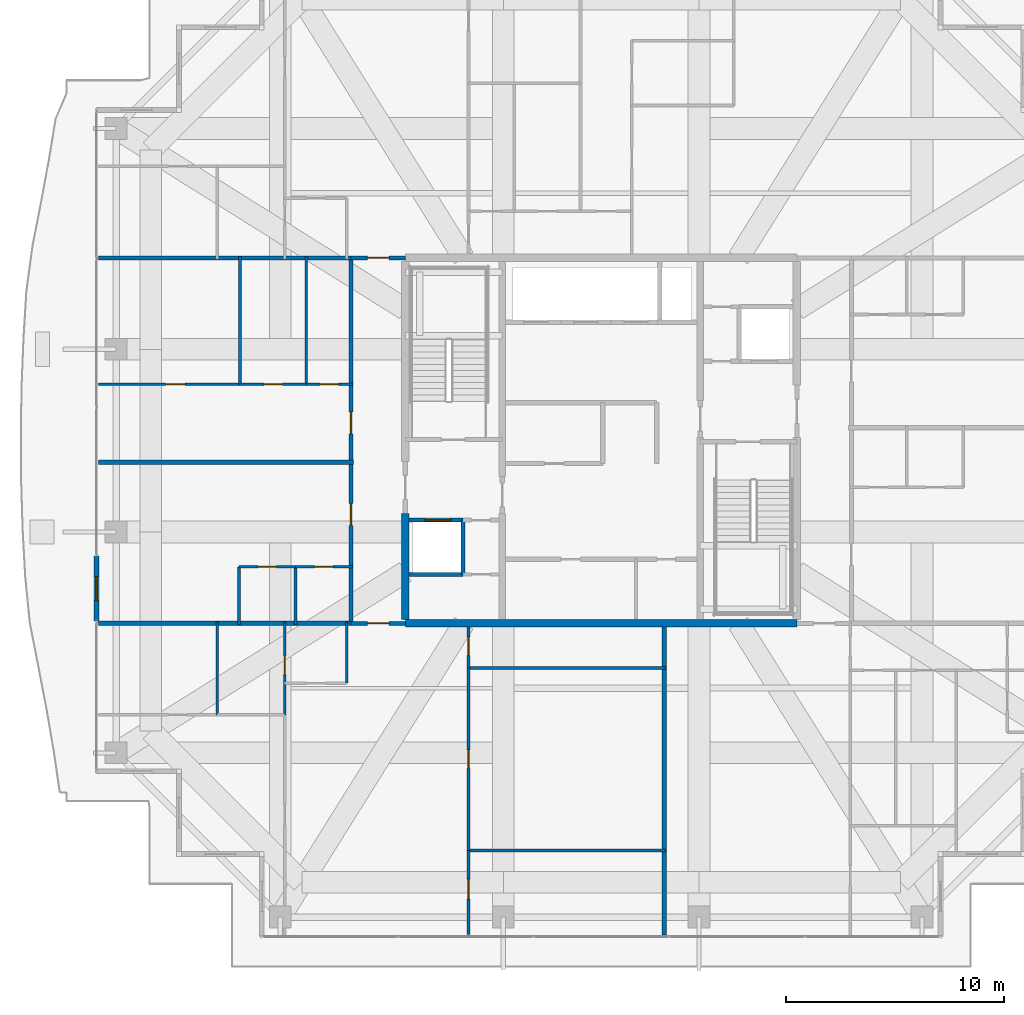
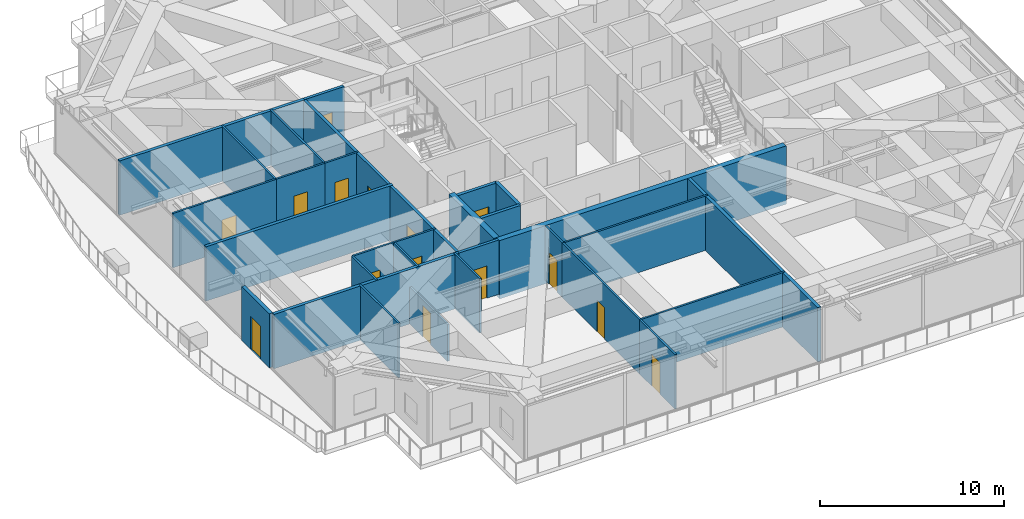
# One storey, part 29 of 40: 30 walls, 15 doors, 15 openings.
"""IFC4 building model written with IfcOpenShell, lengths in metres."""

from ifc_helpers import new_model, si_unit, direction, frame, frame_2d, origin, place, context, subcontext, project, spatial, rectangle, extrude, source, transform, mapped, material, layer, layer_set, type_object, element, fill, save


model = new_model("IFC4")

# Units and contexts
model_context = context("Model", 3, precision=1e-05, world=origin(), true_north=direction((0.0, 1.0)))
body_context = subcontext(model_context, "Body", "Model", "MODEL_VIEW")
ifc_project = project(units=[si_unit("LENGTHUNIT", "METRE"), si_unit("AREAUNIT", "SQUARE_METRE"), si_unit("VOLUMEUNIT", "CUBIC_METRE"), si_unit("PLANEANGLEUNIT", "RADIAN"), si_unit("MASSUNIT", "GRAM", prefix="KILO")], contexts=[model_context])

# Site, building, storey
site_placement = place(None, origin())
site = spatial("IfcSite", under=ifc_project, at=site_placement, CompositionType="ELEMENT")
building_placement = place(site_placement, origin())
building = spatial("IfcBuilding", under=site, at=building_placement, Name="Serunith Strait Residences", CompositionType="ELEMENT")
storey_placement = place(building_placement, frame((0.0, 0.0, 333.949951171875)))
storey = spatial("IfcBuildingStorey", under=building, at=storey_placement, Name="L83", CompositionType="ELEMENT", Elevation=333.949951171875)

# Wall, opening, door
ifc_material_1 = material(Name="Pale-Champagne Aluminium Insulated Panel", Category="aluminium")
ifc_layer_1 = layer(ifc_material_1, 0.219970703125, Name="Pale-Champagne Aluminium Insulated Panel")
ifc_layer_set_1 = layer_set([ifc_layer_1], Name="Pale-Champagne Aluminium Insulated Panel")
wall_type_1 = type_object("IfcWallType", Name="EW-ALUM-220", PredefinedType="ELEMENTEDWALL", material=ifc_layer_set_1)
wall_1_placement = place(storey_placement, frame((9.199951171875, 19.89990234375, 0.0), z_axis=(0.0, 0.0, 1.0), x_axis=(0.0, -1.0, 0.0)))
wall_1 = element("IfcWall", 1, at=wall_1_placement, inside=storey, type_object=wall_type_1, Name="L83 W Facade Pier Wall", PredefinedType="ELEMENTEDWALL", context=body_context, shape_type="SweptSolid", body=[
    extrude(rectangle(XDim=3.0, YDim=0.219970703125, at=frame_2d((1.5, 0.0))), origin(), (0.0, 0.0, 1.0), 3.594970703125),
])
opening_1_placement = place(wall_1_placement, frame((0.949951171875, 0.0, 0.0)))
opening_1 = element("IfcOpeningElement", 2, at=opening_1_placement, cuts=wall_1, Name="Opening ED-03", PredefinedType="OPENING", context=body_context, shape_type="SweptSolid", body=[
    extrude(rectangle(XDim=1.10009765625, YDim=2.199951171875, at=frame_2d((0.550048828125, 1.10009765625))), frame((0.0, 0.1201171875, 0.0), z_axis=(0.0, -1.0, 0.0), x_axis=(1.0, 0.0, 0.0)), (0.0, 0.0, 1.0), 0.239990234375),
])
ifc_material_2 = material(Name="Thermally-Broken Aluminium Glazed Balcony Door", Category="aluminium")
door_type_1 = type_object("IfcDoorType", Name="ED-BALC-1100", OperationType="NOTDEFINED", PredefinedType="DOOR", material=ifc_material_2)
shared_shape_1 = source(origin(), body_context, "Body", "SweptSolid", [
    extrude(rectangle(XDim=1.10009765625, YDim=2.199951171875, at=frame_2d((0.550048828125, 1.10009765625))), frame((0.0, 0.02490234375, 0.0), z_axis=(0.0, -1.0, 0.0), x_axis=(1.0, 0.0, 0.0)), (0.0, 0.0, 1.0), 0.050048828125),
])
door_1_placement = place(opening_1_placement, origin())
door_1 = element("IfcDoor", 3, at=door_1_placement, inside=storey, type_object=door_type_1, Name="L83 W Vertical-Forest Balcony Door", OperationType="SINGLE_SWING_LEFT", OverallHeight=2.199951171875, OverallWidth=1.10009765625, PredefinedType="DOOR", context=body_context, shape_type="MappedRepresentation", body=[
    mapped(shared_shape_1, transform((0.0, 0.0, 0.0), scale=1.0)),
])
fill(opening_1, door_1)

ifc_material_3 = material(Name="Fire-rated acoustic gypsum partition")
ifc_layer_2 = layer(ifc_material_3, 0.179931640625, Name="Fire-rated acoustic gypsum partition")
ifc_layer_set_2 = layer_set([ifc_layer_2], Name="Fire-rated acoustic gypsum partition")
wall_type_2 = type_object("IfcWallType", Name="IW-CORR-180", PredefinedType="PARTITIONING", material=ifc_layer_set_2)
wall_2_placement = place(storey_placement, frame((20.902099609375, 16.800048828125, 0.0), z_axis=(0.0, 0.0, 1.0), x_axis=(1.0, 0.0, 0.0)))
wall_2 = element("IfcWall", 4, at=wall_2_placement, inside=storey, type_object=wall_type_2, Name="L83 Partition Wall 027", PredefinedType="PARTITIONING", context=body_context, shape_type="SweptSolid", body=[
    extrude(rectangle(XDim=2.495849609375, YDim=0.179931640625, at=frame_2d((1.248046875, 0.0))), origin(), (0.0, 0.0, 1.0), 3.610107421875),
])
opening_2_placement = place(wall_2_placement, frame((0.748046875, 0.0, 0.0)))
opening_2 = element("IfcOpeningElement", 5, at=opening_2_placement, cuts=wall_2, Name="Opening D-APT1000", PredefinedType="OPENING", context=body_context, shape_type="SweptSolid", body=[
    extrude(rectangle(XDim=1.0, YDim=2.14990234375, at=frame_2d((0.5, 1.074951171875))), frame((0.0, 0.10009765625, 0.0), z_axis=(0.0, -1.0, 0.0), x_axis=(1.0, 0.0, 0.0)), (0.0, 0.0, 1.0), 0.199951171875),
])
ifc_material_4 = material(Name="Solid timber engineered fire door", Category="wood")
door_type_2 = type_object("IfcDoorType", Name="ID-APT-1000", OperationType="NOTDEFINED", PredefinedType="DOOR", material=ifc_material_4)
shared_shape_2 = source(origin(), body_context, "Body", "SweptSolid", [
    extrude(rectangle(XDim=1.0, YDim=2.14990234375, at=frame_2d((0.5, 1.074951171875))), frame((0.0, 0.02490234375, 0.0), z_axis=(0.0, -1.0, 0.0), x_axis=(1.0, 0.0, 0.0)), (0.0, 0.0, 1.0), 0.050048828125),
])
door_2_placement = place(opening_2_placement, origin())
door_2 = element("IfcDoor", 6, at=door_2_placement, inside=storey, type_object=door_type_2, Name="L83 Unit 01 Entrance Door", OperationType="SINGLE_SWING_LEFT", OverallHeight=2.14990234375, OverallWidth=1.0, PredefinedType="DOOR", context=body_context, shape_type="MappedRepresentation", body=[
    mapped(shared_shape_2, transform((0.0, 0.0, 0.0), scale=1.0)),
])
fill(opening_2, door_2)

wall_3_placement = place(storey_placement, frame((20.902099609375, 33.60009765625, 0.0), z_axis=(0.0, 0.0, 1.0), x_axis=(1.0, 0.0, 0.0)))
wall_3 = element("IfcWall", 7, at=wall_3_placement, inside=storey, type_object=wall_type_2, Name="L83 Partition Wall 028", PredefinedType="PARTITIONING", context=body_context, shape_type="SweptSolid", body=[
    extrude(rectangle(XDim=2.495849609375, YDim=0.179931640625, at=frame_2d((1.248046875, 0.0))), origin(), (0.0, 0.0, 1.0), 3.610107421875),
])
opening_3_placement = place(wall_3_placement, frame((0.748046875, 0.0, 0.0)))
opening_3 = element("IfcOpeningElement", 8, at=opening_3_placement, cuts=wall_3, Name="Opening D-APT1000", PredefinedType="OPENING", context=body_context, shape_type="SweptSolid", body=[
    extrude(rectangle(XDim=1.0, YDim=2.14990234375, at=frame_2d((0.5, 1.074951171875))), frame((0.0, 0.10009765625, 0.0), z_axis=(0.0, -1.0, 0.0), x_axis=(1.0, 0.0, 0.0)), (0.0, 0.0, 1.0), 0.199951171875),
])
door_3_placement = place(opening_3_placement, origin())
door_3 = element("IfcDoor", 9, at=door_3_placement, inside=storey, type_object=door_type_2, Name="L83 Unit 03 Entrance Door", OperationType="SINGLE_SWING_RIGHT", OverallHeight=2.14990234375, OverallWidth=1.0, PredefinedType="DOOR", context=body_context, shape_type="MappedRepresentation", body=[
    mapped(shared_shape_2, transform((0.0, 0.0, 0.0), scale=1.0)),
])
fill(opening_3, door_3)

# Wall, openings, doors
wall_4_placement = place(storey_placement, frame((20.89990234375, 16.800048828125, 0.0), z_axis=(0.0, 0.0, 1.0), x_axis=(0.0, 1.0, 0.0)))
wall_4 = element("IfcWall", 10, at=wall_4_placement, inside=storey, type_object=wall_type_2, Name="L83 Partition Wall 029", PredefinedType="PARTITIONING", context=body_context, shape_type="SweptSolid", body=[
    extrude(rectangle(XDim=16.800048828125, YDim=0.179931640625, at=frame_2d((8.39990234375, 0.0))), origin(), (0.0, 0.0, 1.0), 3.610107421875),
])
opening_4_placement = place(wall_4_placement, frame((4.5029296875, 0.0, 0.0)))
opening_4 = element("IfcOpeningElement", 11, at=opening_4_placement, cuts=wall_4, Name="Opening D-APT1000", PredefinedType="OPENING", context=body_context, shape_type="SweptSolid", body=[
    extrude(rectangle(XDim=1.0, YDim=2.14990234375, at=frame_2d((0.5, 1.074951171875))), frame((0.0, 0.10009765625, 0.0), z_axis=(0.0, -1.0, 0.0), x_axis=(1.0, 0.0, 0.0)), (0.0, 0.0, 1.0), 0.199951171875),
])
opening_5_placement = place(wall_4_placement, frame((8.7060546875, 0.0, 0.0)))
opening_5 = element("IfcOpeningElement", 12, at=opening_5_placement, cuts=wall_4, Name="Opening D-APT1000", PredefinedType="OPENING", context=body_context, shape_type="SweptSolid", body=[
    extrude(rectangle(XDim=1.0, YDim=2.14990234375, at=frame_2d((0.5, 1.074951171875))), frame((0.0, 0.10009765625, 0.0), z_axis=(0.0, -1.0, 0.0), x_axis=(1.0, 0.0, 0.0)), (0.0, 0.0, 1.0), 0.199951171875),
])
door_4_placement = place(opening_4_placement, origin())
door_4 = element("IfcDoor", 13, at=door_4_placement, inside=storey, type_object=door_type_2, Name="L83 Unit 04 Entrance Door", OperationType="SINGLE_SWING_LEFT", OverallHeight=2.14990234375, OverallWidth=1.0, PredefinedType="DOOR", context=body_context, shape_type="MappedRepresentation", body=[
    mapped(shared_shape_2, transform((0.0, 0.0, 0.0), scale=1.0)),
])
fill(opening_4, door_4)
door_5_placement = place(opening_5_placement, origin())
door_5 = element("IfcDoor", 14, at=door_5_placement, inside=storey, type_object=door_type_2, Name="L83 Unit 05 Entrance Door", OperationType="SINGLE_SWING_RIGHT", OverallHeight=2.14990234375, OverallWidth=1.0, PredefinedType="DOOR", context=body_context, shape_type="MappedRepresentation", body=[
    mapped(shared_shape_2, transform((0.0, 0.0, 0.0), scale=1.0)),
])
fill(opening_5, door_5)

# Walls
ifc_material_5 = material(Name="Lightweight steel-stud gypsum partition", Category="steel")
ifc_layer_3 = layer(ifc_material_5, 0.1201171875, Name="Lightweight steel-stud gypsum partition")
ifc_layer_set_3 = layer_set([ifc_layer_3], Name="Lightweight steel-stud gypsum partition")
wall_type_3 = type_object("IfcWallType", Name="IW-PART-120", PredefinedType="PARTITIONING", material=ifc_layer_set_3)
wall_5_placement = place(storey_placement, frame((20.699951171875, 14.050048828125, 0.0), z_axis=(0.0, 0.0, 1.0), x_axis=(0.0, 1.0, 0.0)))
element("IfcWall", 15, at=wall_5_placement, inside=storey, type_object=wall_type_3, Name="L83 Partition Wall 034", PredefinedType="PARTITIONING", context=body_context, shape_type="SweptSolid", body=[
    extrude(rectangle(XDim=2.81005859375, YDim=0.1201171875, at=frame_2d((1.405029296875, 0.0))), origin(), (0.0, 0.0, 1.0), 3.610107421875),
])
wall_6_placement = place(storey_placement, frame((14.75, 12.593017578125, 0.0), z_axis=(0.0, 0.0, 1.0), x_axis=(0.0, 1.0, 0.0)))
element("IfcWall", 16, at=wall_6_placement, inside=storey, type_object=wall_type_3, Name="L83 Partition Wall 038", PredefinedType="PARTITIONING", context=body_context, shape_type="SweptSolid", body=[
    extrude(rectangle(XDim=4.26708984375, YDim=0.1201171875, at=frame_2d((2.133544921875, 0.0))), origin(), (0.0, 0.0, 1.0), 3.610107421875),
])

# Wall, opening, door
wall_7_placement = place(storey_placement, frame((17.85009765625, 12.594970703125, 0.0), z_axis=(0.0, 0.0, 1.0), x_axis=(0.0, 1.0, 0.0)))
wall_7 = element("IfcWall", 17, at=wall_7_placement, inside=storey, type_object=wall_type_3, Name="L83 Partition Wall 039", PredefinedType="PARTITIONING", context=body_context, shape_type="SweptSolid", body=[
    extrude(rectangle(XDim=4.26513671875, YDim=0.1201171875, at=frame_2d((2.132568359375, 0.0))), origin(), (0.0, 0.0, 1.0), 2.445068359375),
])
opening_6_placement = place(wall_7_placement, frame((1.846923828125, 0.0, 0.0)))
opening_6 = element("IfcOpeningElement", 18, at=opening_6_placement, cuts=wall_7, Name="Opening D-BTH850", PredefinedType="OPENING", context=body_context, shape_type="SweptSolid", body=[
    extrude(rectangle(XDim=0.85009765625, YDim=2.10009765625, at=frame_2d((0.425048828125, 1.050048828125))), frame((0.0, 0.070068359375, 0.0), z_axis=(0.0, -1.0, 0.0), x_axis=(1.0, 0.0, 0.0)), (0.0, 0.0, 1.0), 0.14013671875),
])
ifc_material_6 = material(Name="Moisture-resistant timber bathroom door", Category="wood")
door_type_3 = type_object("IfcDoorType", Name="ID-BATH-850", OperationType="NOTDEFINED", PredefinedType="DOOR", material=ifc_material_6)
shared_shape_3 = source(origin(), body_context, "Body", "SweptSolid", [
    extrude(rectangle(XDim=0.85009765625, YDim=2.10009765625, at=frame_2d((0.425048828125, 1.050048828125))), frame((0.0, 0.02490234375, 0.0), z_axis=(0.0, -1.0, 0.0), x_axis=(1.0, 0.0, 0.0)), (0.0, 0.0, 1.0), 0.050048828125),
])
door_6_placement = place(opening_6_placement, origin())
door_6 = element("IfcDoor", 19, at=door_6_placement, inside=storey, type_object=door_type_3, Name="L83 Bathroom 8301 Door", OperationType="SINGLE_SWING_LEFT", OverallHeight=2.10009765625, OverallWidth=0.85009765625, PredefinedType="DOOR", context=body_context, shape_type="MappedRepresentation", body=[
    mapped(shared_shape_3, transform((0.0, 0.0, 0.0), scale=1.0)),
])
fill(opening_6, door_6)

wall_8_placement = place(storey_placement, frame((26.300048828125, 2.4951171875, 0.0), z_axis=(0.0, 0.0, 1.0), x_axis=(0.0, 1.0, 0.0)))
wall_8 = element("IfcWall", 20, at=wall_8_placement, inside=storey, type_object=wall_type_3, Name="L83 Partition Wall 040", PredefinedType="PARTITIONING", context=body_context, shape_type="SweptSolid", body=[
    extrude(rectangle(XDim=3.866943359375, YDim=0.1201171875, at=frame_2d((1.93359375, 0.0))), origin(), (0.0, 0.0, 1.0), 3.610107421875),
])
opening_7_placement = place(wall_8_placement, frame((1.632080078125, 0.0, 0.0)))
opening_7 = element("IfcOpeningElement", 21, at=opening_7_placement, cuts=wall_8, Name="Opening D-RM900", PredefinedType="OPENING", context=body_context, shape_type="SweptSolid", body=[
    extrude(rectangle(XDim=0.89990234375, YDim=2.10009765625, at=frame_2d((0.449951171875, 1.050048828125))), frame((0.0, 0.070068359375, 0.0), z_axis=(0.0, -1.0, 0.0), x_axis=(1.0, 0.0, 0.0)), (0.0, 0.0, 1.0), 0.14013671875),
])
ifc_material_7 = material(Name="Engineered timber flush bedroom door", Category="wood")
door_type_4 = type_object("IfcDoorType", Name="ID-ROOM-900", OperationType="NOTDEFINED", PredefinedType="DOOR", material=ifc_material_7)
shared_shape_4 = source(origin(), body_context, "Body", "SweptSolid", [
    extrude(rectangle(XDim=0.89990234375, YDim=2.10009765625, at=frame_2d((0.449951171875, 1.050048828125))), frame((0.0, 0.02490234375, 0.0), z_axis=(0.0, -1.0, 0.0), x_axis=(1.0, 0.0, 0.0)), (0.0, 0.0, 1.0), 0.050048828125),
])
door_7_placement = place(opening_7_placement, origin())
door_7 = element("IfcDoor", 22, at=door_7_placement, inside=storey, type_object=door_type_4, Name="L83 Bedroom 2 8301 Door", OperationType="SINGLE_SWING_RIGHT", OverallHeight=2.10009765625, OverallWidth=0.89990234375, PredefinedType="DOOR", context=body_context, shape_type="MappedRepresentation", body=[
    mapped(shared_shape_4, transform((0.0, 0.0, 0.0), scale=1.0)),
])
fill(opening_7, door_7)

# Walls
for number, where, z_axis, x_axis, name in (
    (23, (26.300048828125, 6.362060546875, 0.0), (0.0, 0.0, 1.0), (1.0, 0.0, 0.0), "L83 Partition Wall 041"),
    (24, (26.300048828125, 14.75, 0.0), (0.0, 0.0, 1.0), (1.0, 0.0, 0.0), "L83 Partition Wall 042"),
):
    element("IfcWall", number, at=place(storey_placement, frame(where, z_axis=z_axis, x_axis=x_axis)), inside=storey, type_object=wall_type_3, Name=name, PredefinedType="PARTITIONING", context=body_context, shape_type="SweptSolid", body=[
        extrude(rectangle(XDim=9.06005859375, YDim=0.1201171875, at=frame_2d((4.530029296875, 0.0))), origin(), (0.0, 0.0, 1.0), 3.610107421875),
    ])

# Wall, opening, door
wall_9_placement = place(storey_placement, frame((26.300048828125, 6.364013671875, 0.0), z_axis=(0.0, 0.0, 1.0), x_axis=(0.0, 1.0, 0.0)))
wall_9 = element("IfcWall", 25, at=wall_9_placement, inside=storey, type_object=wall_type_3, Name="L83 Partition Wall 043", PredefinedType="PARTITIONING", context=body_context, shape_type="SweptSolid", body=[
    extrude(rectangle(XDim=8.385986328125, YDim=0.1201171875, at=frame_2d((4.19287109375, 0.0))), origin(), (0.0, 0.0, 1.0), 3.610107421875),
])
opening_8_placement = place(wall_9_placement, frame((3.76806640625, 0.0, 0.0)))
opening_8 = element("IfcOpeningElement", 26, at=opening_8_placement, cuts=wall_9, Name="Opening D-RM850", PredefinedType="OPENING", context=body_context, shape_type="SweptSolid", body=[
    extrude(rectangle(XDim=0.85009765625, YDim=2.10009765625, at=frame_2d((0.425048828125, 1.050048828125))), frame((0.0, 0.070068359375, 0.0), z_axis=(0.0, -1.0, 0.0), x_axis=(1.0, 0.0, 0.0)), (0.0, 0.0, 1.0), 0.14013671875),
])
ifc_material_8 = material(Name="Engineered timber flush study and kitchen door", Category="wood")
door_type_5 = type_object("IfcDoorType", Name="ID-ROOM-850", OperationType="NOTDEFINED", PredefinedType="DOOR", material=ifc_material_8)
door_8_placement = place(opening_8_placement, origin())
door_8 = element("IfcDoor", 27, at=door_8_placement, inside=storey, type_object=door_type_5, Name="L83 Walk-in Wardrobe 8301 Door", OperationType="SINGLE_SWING_LEFT", OverallHeight=2.10009765625, OverallWidth=0.85009765625, PredefinedType="DOOR", context=body_context, shape_type="MappedRepresentation", body=[
    mapped(shared_shape_3, transform((0.0, 0.0, 0.0), scale=1.0)),
])
fill(opening_8, door_8)

wall_10_placement = place(storey_placement, frame((26.300048828125, 14.751953125, 0.0), z_axis=(0.0, 0.0, 1.0), x_axis=(0.0, 1.0, 0.0)))
wall_10 = element("IfcWall", 28, at=wall_10_placement, inside=storey, type_object=wall_type_3, Name="L83 Partition Wall 044", PredefinedType="PARTITIONING", context=body_context, shape_type="SweptSolid", body=[
    extrude(rectangle(XDim=1.873046875, YDim=0.1201171875, at=frame_2d((0.9365234375, 0.0))), origin(), (0.0, 0.0, 1.0), 3.610107421875),
])
opening_9_placement = place(wall_10_placement, frame((0.574951171875, 0.0, 0.0)))
opening_9 = element("IfcOpeningElement", 29, at=opening_9_placement, cuts=wall_10, Name="Opening D-BTH850", PredefinedType="OPENING", context=body_context, shape_type="SweptSolid", body=[
    extrude(rectangle(XDim=0.85009765625, YDim=2.10009765625, at=frame_2d((0.425048828125, 1.050048828125))), frame((0.0, 0.070068359375, 0.0), z_axis=(0.0, -1.0, 0.0), x_axis=(1.0, 0.0, 0.0)), (0.0, 0.0, 1.0), 0.14013671875),
])
door_9_placement = place(opening_9_placement, origin())
door_9 = element("IfcDoor", 30, at=door_9_placement, inside=storey, type_object=door_type_3, Name="L83 Bathroom 8301 Door", OperationType="SINGLE_SWING_RIGHT", OverallHeight=2.10009765625, OverallWidth=0.85009765625, PredefinedType="DOOR", context=body_context, shape_type="MappedRepresentation", body=[
    mapped(shared_shape_3, transform((0.0, 0.0, 0.0), scale=1.0)),
])
fill(opening_9, door_9)

wall_11_placement = place(storey_placement, frame((15.75, 19.39990234375, 0.0), z_axis=(0.0, 0.0, 1.0), x_axis=(1.0, 0.0, 0.0)))
wall_11 = element("IfcWall", 31, at=wall_11_placement, inside=storey, type_object=wall_type_3, Name="L83 Partition Wall 080", PredefinedType="PARTITIONING", context=body_context, shape_type="SweptSolid", body=[
    extrude(rectangle(XDim=2.60009765625, YDim=0.1201171875, at=frame_2d((1.300048828125, 0.0))), origin(), (0.0, 0.0, 1.0), 3.610107421875),
])
opening_10_placement = place(wall_11_placement, frame((0.875, 0.0, 0.0)))
opening_10 = element("IfcOpeningElement", 32, at=opening_10_placement, cuts=wall_11, Name="Opening D-RM850", PredefinedType="OPENING", context=body_context, shape_type="SweptSolid", body=[
    extrude(rectangle(XDim=0.85009765625, YDim=2.10009765625, at=frame_2d((0.425048828125, 1.050048828125))), frame((0.0, 0.070068359375, 0.0), z_axis=(0.0, -1.0, 0.0), x_axis=(1.0, 0.0, 0.0)), (0.0, 0.0, 1.0), 0.14013671875),
])
door_10_placement = place(opening_10_placement, origin())
door_10 = element("IfcDoor", 33, at=door_10_placement, inside=storey, type_object=door_type_5, Name="L83 Kitchen 8304 Door", OperationType="SINGLE_SWING_LEFT", OverallHeight=2.10009765625, OverallWidth=0.85009765625, PredefinedType="DOOR", context=body_context, shape_type="MappedRepresentation", body=[
    mapped(shared_shape_3, transform((0.0, 0.0, 0.0), scale=1.0)),
])
fill(opening_10, door_10)

wall_12_placement = place(storey_placement, frame((18.35205078125, 19.39990234375, 0.0), z_axis=(0.0, 0.0, 1.0), x_axis=(1.0, 0.0, 0.0)))
wall_12 = element("IfcWall", 34, at=wall_12_placement, inside=storey, type_object=wall_type_3, Name="L83 Partition Wall 081", PredefinedType="PARTITIONING", context=body_context, shape_type="SweptSolid", body=[
    extrude(rectangle(XDim=2.60791015625, YDim=0.1201171875, at=frame_2d((1.303955078125, 0.0))), origin(), (0.0, 0.0, 1.0), 3.610107421875),
])
opening_11_placement = place(wall_12_placement, frame((0.87890625, 0.0, 0.0)))
opening_11 = element("IfcOpeningElement", 35, at=opening_11_placement, cuts=wall_12, Name="Opening D-BTH850", PredefinedType="OPENING", context=body_context, shape_type="SweptSolid", body=[
    extrude(rectangle(XDim=0.85009765625, YDim=2.10009765625, at=frame_2d((0.425048828125, 1.050048828125))), frame((0.0, 0.070068359375, 0.0), z_axis=(0.0, -1.0, 0.0), x_axis=(1.0, 0.0, 0.0)), (0.0, 0.0, 1.0), 0.14013671875),
])
door_11_placement = place(opening_11_placement, origin())
door_11 = element("IfcDoor", 36, at=door_11_placement, inside=storey, type_object=door_type_3, Name="L83 Bathroom 8304 Door", OperationType="SINGLE_SWING_RIGHT", OverallHeight=2.10009765625, OverallWidth=0.85009765625, PredefinedType="DOOR", context=body_context, shape_type="MappedRepresentation", body=[
    mapped(shared_shape_3, transform((0.0, 0.0, 0.0), scale=1.0)),
])
fill(opening_11, door_11)

# Walls
for number, where, z_axis, x_axis, name in (
    (37, (18.35009765625, 16.739990234375, 0.0), (0.0, 0.0, 1.0), (0.0, 1.0, 0.0), "L83 Partition Wall 082"),
    (38, (15.75, 16.739990234375, 0.0), (0.0, 0.0, 1.0), (0.0, 1.0, 0.0), "L83 Partition Wall 083"),
):
    element("IfcWall", number, at=place(storey_placement, frame(where, z_axis=z_axis, x_axis=x_axis)), inside=storey, type_object=wall_type_3, Name=name, PredefinedType="PARTITIONING", context=body_context, shape_type="SweptSolid", body=[
        extrude(rectangle(XDim=2.659912109375, YDim=0.1201171875, at=frame_2d((1.330078125, 0.0))), origin(), (0.0, 0.0, 1.0), 3.610107421875),
    ])

# Wall, opening, door
wall_13_placement = place(storey_placement, frame((9.294921875, 27.800048828125, 0.0), z_axis=(0.0, 0.0, 1.0), x_axis=(1.0, 0.0, 0.0)))
wall_13 = element("IfcWall", 39, at=wall_13_placement, inside=storey, type_object=wall_type_3, Name="L83 Partition Wall 084", PredefinedType="PARTITIONING", context=body_context, shape_type="SweptSolid", body=[
    extrude(rectangle(XDim=6.502197265625, YDim=0.1201171875, at=frame_2d((3.2509765625, 0.0))), origin(), (0.0, 0.0, 1.0), 3.610107421875),
])
opening_12_placement = place(wall_13_placement, frame((3.0810546875, 0.0, 0.0)))
opening_12 = element("IfcOpeningElement", 40, at=opening_12_placement, cuts=wall_13, Name="Opening D-RM900", PredefinedType="OPENING", context=body_context, shape_type="SweptSolid", body=[
    extrude(rectangle(XDim=0.89990234375, YDim=2.10009765625, at=frame_2d((0.449951171875, 1.050048828125))), frame((0.0, 0.070068359375, 0.0), z_axis=(0.0, -1.0, 0.0), x_axis=(1.0, 0.0, 0.0)), (0.0, 0.0, 1.0), 0.14013671875),
])
door_12_placement = place(opening_12_placement, origin())
door_12 = element("IfcDoor", 41, at=door_12_placement, inside=storey, type_object=door_type_4, Name="L83 Master Bedroom 1 8305 Door", OperationType="SINGLE_SWING_LEFT", OverallHeight=2.10009765625, OverallWidth=0.89990234375, PredefinedType="DOOR", context=body_context, shape_type="MappedRepresentation", body=[
    mapped(shared_shape_4, transform((0.0, 0.0, 0.0), scale=1.0)),
])
fill(opening_12, door_12)

# Walls
for number, where, z_axis, x_axis, name in (
    (42, (15.797119140625, 27.800048828125, 0.0), (0.0, 0.0, 1.0), (0.0, 1.0, 0.0), "L83 Partition Wall 085"),
    (43, (18.85009765625, 27.800048828125, 0.0), (0.0, 0.0, 1.0), (0.0, 1.0, 0.0), "L83 Partition Wall 086"),
):
    element("IfcWall", number, at=place(storey_placement, frame(where, z_axis=z_axis, x_axis=x_axis)), inside=storey, type_object=wall_type_3, Name=name, PredefinedType="PARTITIONING", context=body_context, shape_type="SweptSolid", body=[
        extrude(rectangle(XDim=5.85986328125, YDim=0.1201171875, at=frame_2d((2.929931640625, 0.0))), origin(), (0.0, 0.0, 1.0), 3.610107421875),
    ])

# Wall, opening, door
wall_14_placement = place(storey_placement, frame((15.799072265625, 27.800048828125, 0.0), z_axis=(0.0, 0.0, 1.0), x_axis=(1.0, 0.0, 0.0)))
wall_14 = element("IfcWall", 44, at=wall_14_placement, inside=storey, type_object=wall_type_3, Name="L83 Partition Wall 087", PredefinedType="PARTITIONING", context=body_context, shape_type="SweptSolid", body=[
    extrude(rectangle(XDim=3.051025390625, YDim=0.1201171875, at=frame_2d((1.525390625, 0.0))), origin(), (0.0, 0.0, 1.0), 3.610107421875),
])
opening_13_placement = place(wall_14_placement, frame((1.10107421875, 0.0, 0.0)))
opening_13 = element("IfcOpeningElement", 45, at=opening_13_placement, cuts=wall_14, Name="Opening D-RM850", PredefinedType="OPENING", context=body_context, shape_type="SweptSolid", body=[
    extrude(rectangle(XDim=0.85009765625, YDim=2.10009765625, at=frame_2d((0.425048828125, 1.050048828125))), frame((0.0, 0.070068359375, 0.0), z_axis=(0.0, -1.0, 0.0), x_axis=(1.0, 0.0, 0.0)), (0.0, 0.0, 1.0), 0.14013671875),
])
door_13_placement = place(opening_13_placement, origin())
door_13 = element("IfcDoor", 46, at=door_13_placement, inside=storey, type_object=door_type_5, Name="L83 Kitchen 8305 Door", OperationType="SINGLE_SWING_RIGHT", OverallHeight=2.10009765625, OverallWidth=0.85009765625, PredefinedType="DOOR", context=body_context, shape_type="MappedRepresentation", body=[
    mapped(shared_shape_3, transform((0.0, 0.0, 0.0), scale=1.0)),
])
fill(opening_13, door_13)

wall_15_placement = place(storey_placement, frame((18.85205078125, 27.800048828125, 0.0), z_axis=(0.0, 0.0, 1.0), x_axis=(1.0, 0.0, 0.0)))
wall_15 = element("IfcWall", 47, at=wall_15_placement, inside=storey, type_object=wall_type_3, Name="L83 Partition Wall 088", PredefinedType="PARTITIONING", context=body_context, shape_type="SweptSolid", body=[
    extrude(rectangle(XDim=2.10791015625, YDim=0.1201171875, at=frame_2d((1.053955078125, 0.0))), origin(), (0.0, 0.0, 1.0), 3.610107421875),
])
opening_14_placement = place(wall_15_placement, frame((0.62890625, 0.0, 0.0)))
opening_14 = element("IfcOpeningElement", 48, at=opening_14_placement, cuts=wall_15, Name="Opening D-BTH850", PredefinedType="OPENING", context=body_context, shape_type="SweptSolid", body=[
    extrude(rectangle(XDim=0.85009765625, YDim=2.10009765625, at=frame_2d((0.425048828125, 1.050048828125))), frame((0.0, 0.070068359375, 0.0), z_axis=(0.0, -1.0, 0.0), x_axis=(1.0, 0.0, 0.0)), (0.0, 0.0, 1.0), 0.14013671875),
])
door_14_placement = place(opening_14_placement, origin())
door_14 = element("IfcDoor", 49, at=door_14_placement, inside=storey, type_object=door_type_3, Name="L83 Bathroom 8305 Door", OperationType="SINGLE_SWING_LEFT", OverallHeight=2.10009765625, OverallWidth=0.85009765625, PredefinedType="DOOR", context=body_context, shape_type="MappedRepresentation", body=[
    mapped(shared_shape_3, transform((0.0, 0.0, 0.0), scale=1.0)),
])
fill(opening_14, door_14)

# Walls
ifc_material_9 = material(Name="Twin-stud acoustic gypsum board partition")
ifc_layer_4 = layer(ifc_material_9, 0.199951171875, Name="Twin-stud acoustic gypsum board partition")
ifc_layer_set_4 = layer_set([ifc_layer_4], Name="Twin-stud acoustic gypsum board partition")
wall_type_4 = type_object("IfcWallType", Name="IW-PARTY-200", PredefinedType="PARTITIONING", material=ifc_layer_set_4)
wall_16_placement = place(storey_placement, frame((35.300048828125, 2.48193359375, 0.0), z_axis=(0.0, 0.0, 1.0), x_axis=(0.0, 1.0, 0.0)))
element("IfcWall", 50, at=wall_16_placement, inside=storey, type_object=wall_type_4, Name="L83 Partition Wall 020", PredefinedType="PARTITIONING", context=body_context, shape_type="SweptSolid", body=[
    extrude(rectangle(XDim=14.14306640625, YDim=0.199951171875, at=frame_2d((7.071533203125, 0.0))), origin(), (0.0, 0.0, 1.0), 3.610107421875),
])
wall_17_placement = place(storey_placement, frame((9.281982421875, 24.199951171875, 0.0), z_axis=(0.0, 0.0, 1.0), x_axis=(1.0, 0.0, 0.0)))
element("IfcWall", 51, at=wall_17_placement, inside=storey, type_object=wall_type_4, Name="L83 Partition Wall 021", PredefinedType="PARTITIONING", context=body_context, shape_type="SweptSolid", body=[
    extrude(rectangle(XDim=11.738037109375, YDim=0.199951171875, at=frame_2d((5.869140625, 0.0))), origin(), (0.0, 0.0, 1.0), 3.610107421875),
])
for number, where, z_axis, x_axis, name in (
    (52, (9.281982421875, 16.800048828125, 0.0), (0.0, 0.0, 1.0), (1.0, 0.0, 0.0), "L83 Partition Wall 023"),
    (53, (9.281982421875, 33.60009765625, 0.0), (0.0, 0.0, 1.0), (1.0, 0.0, 0.0), "L83 Partition Wall 025"),
):
    element("IfcWall", number, at=place(storey_placement, frame(where, z_axis=z_axis, x_axis=x_axis)), inside=storey, type_object=wall_type_4, Name=name, PredefinedType="PARTITIONING", context=body_context, shape_type="SweptSolid", body=[
        extrude(rectangle(XDim=11.617919921875, YDim=0.199951171875, at=frame_2d((5.80908203125, 0.0))), origin(), (0.0, 0.0, 1.0), 3.610107421875),
    ])

# Wall, opening, door
ifc_material_10 = material(Name="Autoclaved aerated concrete blockwork", Category="masonry")
ifc_layer_5 = layer(ifc_material_10, 0.199951171875, Name="Autoclaved aerated concrete blockwork")
ifc_layer_set_5 = layer_set([ifc_layer_5], Name="Autoclaved aerated concrete blockwork")
wall_type_5 = type_object("IfcWallType", Name="IW-SHAFT-200", PredefinedType="STANDARD", material=ifc_layer_set_5)
wall_18_placement = place(storey_placement, frame((23.574951171875, 21.550048828125, 0.0), z_axis=(0.0, 0.0, 1.0), x_axis=(1.0, 0.0, 0.0)))
wall_18 = element("IfcWall", 54, at=wall_18_placement, inside=storey, type_object=wall_type_5, Name="L83 FL-1 North Shaft Wall", PredefinedType="STANDARD", context=body_context, shape_type="SweptSolid", body=[
    extrude(rectangle(XDim=2.47509765625, YDim=0.199951171875, at=frame_2d((1.237548828125, 0.0))), origin(), (0.0, 0.0, 1.0), 3.610107421875),
])
opening_15_placement = place(wall_18_placement, frame((0.72509765625, 0.0, 0.0)))
opening_15 = element("IfcOpeningElement", 55, at=opening_15_placement, cuts=wall_18, Name="Opening LD-FF1200", PredefinedType="OPENING", context=body_context, shape_type="SweptSolid", body=[
    extrude(rectangle(XDim=1.199951171875, YDim=2.199951171875, at=frame_2d((0.60009765625, 1.10009765625))), frame((0.0, 0.10986328125, 0.0), z_axis=(0.0, -1.0, 0.0), x_axis=(1.0, 0.0, 0.0)), (0.0, 0.0, 1.0), 0.219970703125),
])
ifc_material_11 = material(Name="Brushed stainless steel landing door", Category="steel")
door_type_6 = type_object("IfcDoorType", Name="LD-FF-1200", OperationType="DOUBLE_DOOR_SLIDING", PredefinedType="DOOR", material=ifc_material_11)
shared_shape_5 = source(origin(), body_context, "Body", "SweptSolid", [
    extrude(rectangle(XDim=1.199951171875, YDim=2.199951171875, at=frame_2d((0.60009765625, 1.10009765625))), frame((0.0, 0.02490234375, 0.0), z_axis=(0.0, -1.0, 0.0), x_axis=(1.0, 0.0, 0.0)), (0.0, 0.0, 1.0), 0.050048828125),
])
door_15_placement = place(opening_15_placement, origin())
door_15 = element("IfcDoor", 56, at=door_15_placement, inside=storey, type_object=door_type_6, Name="L83 FL-1 Landing Door", OperationType="DOUBLE_DOOR_SLIDING", OverallHeight=2.199951171875, OverallWidth=1.199951171875, PredefinedType="DOOR", context=body_context, shape_type="MappedRepresentation", body=[
    mapped(shared_shape_5, transform((0.0, 0.0, 0.0), scale=1.0)),
])
fill(opening_15, door_15)

# Walls
wall_19_placement = place(storey_placement, frame((26.050048828125, 19.050048828125, 0.0), z_axis=(0.0, 0.0, 1.0), x_axis=(0.0, 1.0, 0.0)))
element("IfcWall", 57, at=wall_19_placement, inside=storey, type_object=wall_type_5, Name="L83 Partition Wall 001", PredefinedType="STANDARD", context=body_context, shape_type="SweptSolid", body=[
    extrude(rectangle(XDim=2.5, YDim=0.199951171875, at=frame_2d((1.25, 0.0))), origin(), (0.0, 0.0, 1.0), 3.610107421875),
])
wall_20_placement = place(storey_placement, frame((23.574951171875, 19.050048828125, 0.0), z_axis=(0.0, 0.0, 1.0), x_axis=(1.0, 0.0, 0.0)))
element("IfcWall", 58, at=wall_20_placement, inside=storey, type_object=wall_type_5, Name="L83 Partition Wall 002", PredefinedType="STANDARD", context=body_context, shape_type="SweptSolid", body=[
    extrude(rectangle(XDim=2.47509765625, YDim=0.199951171875, at=frame_2d((1.237548828125, 0.0))), origin(), (0.0, 0.0, 1.0), 3.610107421875),
])
ifc_material_12 = material(Name="Concrete C60/75", Category="concrete")
ifc_layer_6 = layer(ifc_material_12, 0.35009765625, Name="Concrete C60/75")
ifc_layer_set_6 = layer_set([ifc_layer_6], Name="Concrete C60/75")
wall_type_6 = type_object("IfcWallType", Name="SW-350-C60", PredefinedType="SHEAR", material=ifc_layer_set_6)
wall_21_placement = place(storey_placement, frame((23.39990234375, 16.800048828125, -0.260009765625), z_axis=(0.0, 0.0, 1.0), x_axis=(1.0, 0.0, 0.0)))
element("IfcWall", 59, at=wall_21_placement, inside=storey, type_object=wall_type_6, Name="L83 Core South Shear Wall", PredefinedType="SHEAR", context=body_context, shape_type="SweptSolid", body=[
    extrude(rectangle(XDim=18.0, YDim=0.35009765625, at=frame_2d((9.0, 0.0))), origin(), (0.0, 0.0, 1.0), 3.8681640625),
])
wall_22_placement = place(storey_placement, frame((23.39990234375, 16.97509765625, -0.260009765625), z_axis=(0.0, 0.0, 1.0), x_axis=(0.0, 1.0, 0.0)))
element("IfcWall", 60, at=wall_22_placement, inside=storey, type_object=wall_type_6, Name="L83 Core West Shear Wall South Pier", PredefinedType="SHEAR", context=body_context, shape_type="SweptSolid", body=[
    extrude(rectangle(XDim=4.875, YDim=0.35009765625, at=frame_2d((2.4375, 0.0))), origin(), (0.0, 0.0, 1.0), 3.8681640625),
])

save(model, "model.ifc")
